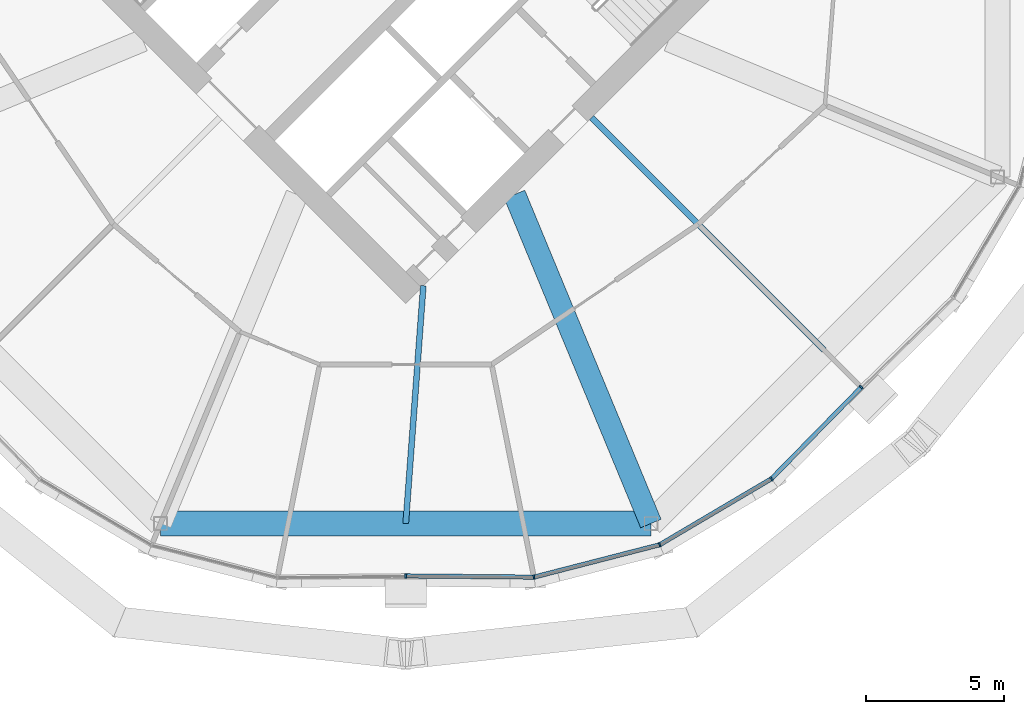
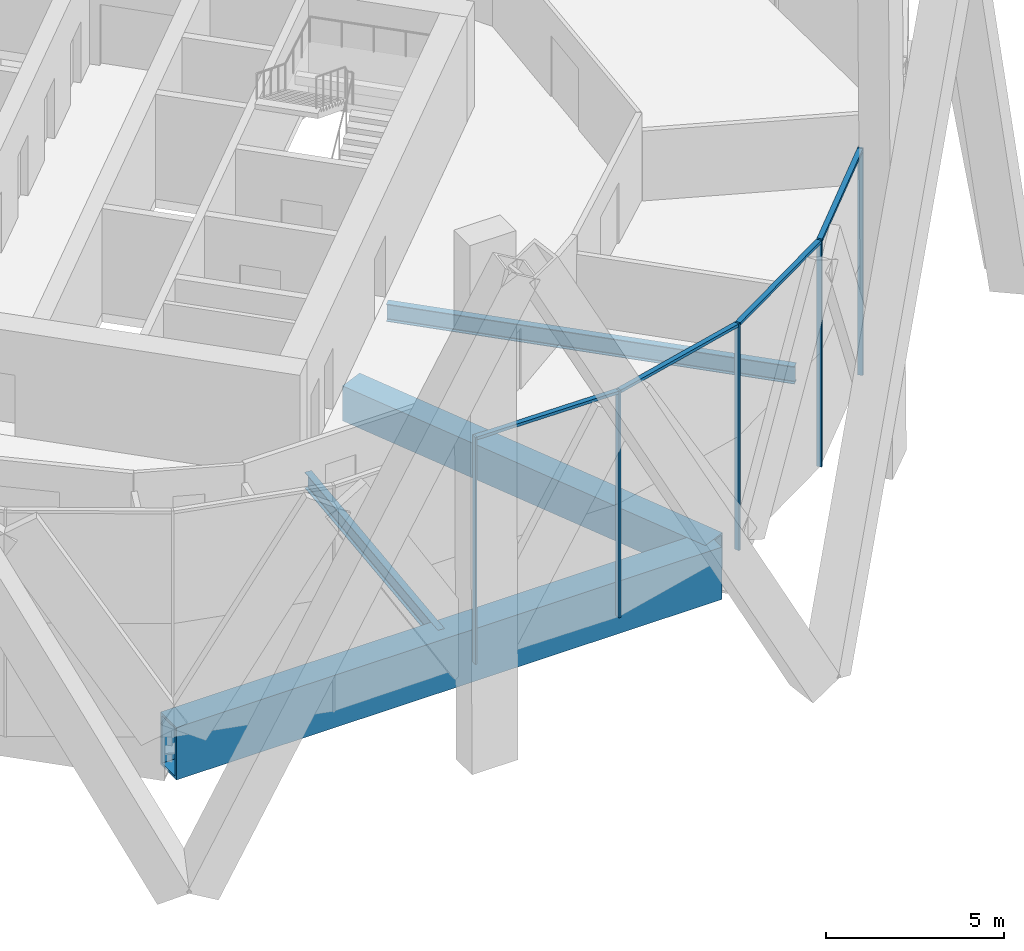
# One storey, part 12 of 30: 9 members, 4 beams, 2 elements without a shape of their own.
"""IFC4 building model written with IfcOpenShell, lengths in metres."""

from ifc_helpers import new_model, si_unit, direction, frame, origin, origin_2d, place, context, subcontext, project, spatial, rectangle, hollow_rectangle, i_section, extrude, material, material_profile, profile_set, type_object, element, aggregate, save


model = new_model("IFC4")

# Units and contexts
model_context = context("Model", 3, precision=1e-05, world=origin(), true_north=direction((0.0, 1.0)))
body_context = subcontext(model_context, "Body", "Model", "MODEL_VIEW")
ifc_project = project(units=[si_unit("LENGTHUNIT", "METRE"), si_unit("AREAUNIT", "SQUARE_METRE"), si_unit("VOLUMEUNIT", "CUBIC_METRE"), si_unit("PLANEANGLEUNIT", "RADIAN"), si_unit("MASSUNIT", "GRAM", prefix="KILO")], contexts=[model_context])

# Site, building, storey
site_placement = place(None, origin())
site = spatial("IfcSite", under=ifc_project, at=site_placement, CompositionType="ELEMENT")
building_placement = place(site_placement, origin())
building = spatial("IfcBuilding", under=site, at=building_placement, Name="Ogive Gate Towers", CompositionType="ELEMENT")
storey_placement = place(building_placement, frame((0.0, 0.0, 99.60009765625)))
storey = spatial("IfcBuildingStorey", under=building, at=storey_placement, Name="L23", CompositionType="ELEMENT", Elevation=99.60009765625)

# Beams
ifc_material_1 = material(Name="Steel SM460", Category="steel")
ifc_material_profile_1 = material_profile(ifc_material_1, hollow_rectangle(XDim=0.89990234375, YDim=1.800048828125, WallThickness=0.080078125, at=origin_2d()), Name="BX 1800x900x80")
ifc_profile_set_1 = profile_set([ifc_material_profile_1], Name="Steel SM460")
beam_type_1 = type_object("IfcBeamType", Name="Edge girder BX 1800x900x80", PredefinedType="BEAM", material=ifc_profile_set_1)
beam_1_placement = place(storey_placement, frame((27.136962890625, -21.39697265625, -1.2001953125), z_axis=(1.0, 0.0, 0.0), x_axis=(0.0, 1.0, 0.0)))
element("IfcBeam", 1, at=beam_1_placement, inside=storey, type_object=beam_type_1, Name="T2/L23/SBM018", PredefinedType="BEAM", context=body_context, shape_type="SweptSolid", body=[
    extrude(hollow_rectangle(XDim=0.89990234375, YDim=1.800048828125, WallThickness=0.080078125, at=origin_2d()), origin(), (0.0, 0.0, 1.0), 17.72607421875),
])
ifc_material_2 = material(Name="Steel SM355", Category="steel")
ifc_material_profile_2 = material_profile(ifc_material_2, i_section(OverallWidth=0.2099609375, OverallDepth=0.550048828125, WebThickness=0.010986328125, FlangeThickness=0.01708984375, FilletRadius=0.02392578125, at=origin_2d()), Name="IPE 550")
ifc_profile_set_2 = profile_set([ifc_material_profile_2], Name="Steel SM355")
beam_type_2 = type_object("IfcBeamType", Name="Radial floor beam IPE 550", PredefinedType="BEAM", material=ifc_profile_set_2)
beam_2_placement = place(storey_placement, frame((36.636474609375, -12.798583984375, -0.5751953125), z_axis=(-0.07382057702, -0.997271538954, 0.0), x_axis=(0.997271538954, -0.07382057702, 0.0)))
element("IfcBeam", 2, at=beam_2_placement, inside=storey, type_object=beam_type_2, Name="T2/L23/SBM004", PredefinedType="BEAM", context=body_context, shape_type="SweptSolid", body=[
    extrude(i_section(OverallWidth=0.2099609375, OverallDepth=0.550048828125, WebThickness=0.010986328125, FlangeThickness=0.01708984375, FilletRadius=0.02392578125, at=origin_2d()), origin(), (0.0, 0.0, 1.0), 8.621826171875),
])
ifc_material_profile_3 = material_profile(ifc_material_2, i_section(OverallWidth=0.219970703125, OverallDepth=0.60009765625, WebThickness=0.011962890625, FlangeThickness=0.01904296875, FilletRadius=0.02392578125, at=origin_2d()), Name="IPE 600")
ifc_profile_set_3 = profile_set([ifc_material_profile_3], Name="Steel SM355")
beam_type_3 = type_object("IfcBeamType", Name="Radial floor beam IPE 600", PredefinedType="BEAM", material=ifc_profile_set_3)
beam_3_placement = place(storey_placement, frame((42.717529296875, -6.717529296875, -0.60009765625), z_axis=(0.707106781187, -0.707106781187, 0.0), x_axis=(0.707106781187, 0.707106781187, 0.0)))
element("IfcBeam", 3, at=beam_3_placement, inside=storey, type_object=beam_type_3, Name="T2/L23/SBM006", PredefinedType="BEAM", context=body_context, shape_type="SweptSolid", body=[
    extrude(i_section(OverallWidth=0.219970703125, OverallDepth=0.60009765625, WebThickness=0.011962890625, FlangeThickness=0.01904296875, FilletRadius=0.02392578125, at=origin_2d()), origin(), (0.0, 0.0, 1.0), 11.89697265625),
])

# Curtain wall, member
ifc_material_3 = material(Name="Pale metal aluminium", Category="aluminium")
curtain_wall_type = type_object("IfcCurtainWallType", Name="Tower unitised wall, low zone", PredefinedType="NOTDEFINED", material=ifc_material_3)
curtain_wall_1_placement = place(storey_placement, origin())
curtain_wall_1 = element("IfcCurtainWall", 4, at=curtain_wall_1_placement, inside=storey, type_object=curtain_wall_type, Name="CW1 T2 ECW06", PredefinedType="NOTDEFINED")
ifc_material_profile_4 = material_profile(ifc_material_3, rectangle(XDim=0.159912109375, YDim=0.06005859375, at=origin_2d()), Name="60 x 160 aluminium box")
ifc_profile_set_4 = profile_set([ifc_material_profile_4], Name="Pale metal aluminium")
member_type_1 = type_object("IfcMemberType", Name="Tower unitised wall, low zone mullion 60 x 160", PredefinedType="MULLION", material=ifc_profile_set_4)
member_1_placement = place(storey_placement, frame((35.999755859375, -23.2900390625, -0.300048828125), z_axis=(0.0, 0.0, 1.0), x_axis=(0.009599163462, -0.999953926969, 0.0)))
member_1 = element("IfcMember", 5, at=member_1_placement, type_object=member_type_1, Name="CW1 mullion", PredefinedType="MULLION", context=body_context, shape_type="SweptSolid", body=[
    extrude(rectangle(XDim=0.159912109375, YDim=0.06005859375, at=origin_2d()), origin(), (0.0, 0.0, 1.0), 7.800048828125),
])
aggregate(curtain_wall_1, [member_1])

# Curtain wall, members
curtain_wall_2_placement = place(storey_placement, origin())
curtain_wall_2 = element("IfcCurtainWall", 6, at=curtain_wall_2_placement, inside=storey, type_object=curtain_wall_type, Name="CW1 T2 ECW07", PredefinedType="NOTDEFINED")
member_2_placement = place(storey_placement, frame((40.635498046875, -23.334716796875, -0.300048828125), z_axis=(0.0, 0.0, 1.0), x_axis=(0.120847210271, -0.992671119641, 0.0)))
member_2 = element("IfcMember", 7, at=member_2_placement, type_object=member_type_1, Name="CW1 mullion", PredefinedType="MULLION", context=body_context, shape_type="SweptSolid", body=[
    extrude(rectangle(XDim=0.159912109375, YDim=0.06005859375, at=origin_2d()), origin(), (0.0, 0.0, 1.0), 7.800048828125),
])
member_3_placement = place(storey_placement, frame((45.180908203125, -22.164794921875, -0.300048828125), z_axis=(0.0, 0.0, 1.0), x_axis=(0.382683432365, -0.923879532511, 0.0)))
member_3 = element("IfcMember", 8, at=member_3_placement, type_object=member_type_1, Name="CW1 mullion", PredefinedType="MULLION", context=body_context, shape_type="SweptSolid", body=[
    extrude(rectangle(XDim=0.159912109375, YDim=0.06005859375, at=origin_2d()), origin(), (0.0, 0.0, 1.0), 7.800048828125),
])
member_4_placement = place(storey_placement, frame((49.222412109375, -19.77783203125, -0.300048828125), z_axis=(0.0, 0.0, 1.0), x_axis=(0.616458855912, -0.787387121413, 0.0)))
member_4 = element("IfcMember", 9, at=member_4_placement, type_object=member_type_1, Name="CW1 mullion", PredefinedType="MULLION", context=body_context, shape_type="SweptSolid", body=[
    extrude(rectangle(XDim=0.159912109375, YDim=0.06005859375, at=origin_2d()), origin(), (0.0, 0.0, 1.0), 7.800048828125),
])
member_5_placement = place(storey_placement, frame((52.468505859375, -16.46875, -0.300048828125), z_axis=(0.0, 0.0, 1.0), x_axis=(0.713849613797, -0.700299028189, 0.0)))
member_5 = element("IfcMember", 10, at=member_5_placement, type_object=member_type_1, Name="CW1 mullion", PredefinedType="MULLION", context=body_context, shape_type="SweptSolid", body=[
    extrude(rectangle(XDim=0.159912109375, YDim=0.06005859375, at=origin_2d()), origin(), (0.0, 0.0, 1.0), 7.800048828125),
])
ifc_material_profile_5 = material_profile(ifc_material_3, rectangle(XDim=0.159912109375, YDim=0.10009765625, at=origin_2d()), Name="100 x 160 aluminium box")
ifc_profile_set_5 = profile_set([ifc_material_profile_5], Name="Pale metal aluminium")
member_type_2 = type_object("IfcMemberType", Name="Tower unitised wall, low zone transom 100 x 160", PredefinedType="USERDEFINED", material=ifc_profile_set_5)
member_6_placement = place(storey_placement, frame((36.0302734375, -23.290283203125, 7.449951171875), z_axis=(0.999953923185, -0.009599557663, 0.0), x_axis=(0.009599557663, 0.999953923185, 0.0)))
member_6 = element("IfcMember", 11, at=member_6_placement, type_object=member_type_2, Name="CW1 transom", ObjectType="TRANSOM", PredefinedType="USERDEFINED", context=body_context, shape_type="SweptSolid", body=[
    extrude(rectangle(XDim=0.159912109375, YDim=0.10009765625, at=origin_2d()), origin(), (0.0, 0.0, 1.0), 4.577880859375),
])
member_7_placement = place(storey_placement, frame((40.661865234375, -23.32763671875, 7.449951171875), z_axis=(0.968441413221, 0.249241307087, 0.0), x_axis=(-0.249241307087, 0.968441413221, 0.0)))
member_7 = element("IfcMember", 12, at=member_7_placement, type_object=member_type_2, Name="CW1 transom", ObjectType="TRANSOM", PredefinedType="USERDEFINED", context=body_context, shape_type="SweptSolid", body=[
    extrude(rectangle(XDim=0.159912109375, YDim=0.10009765625, at=origin_2d()), origin(), (0.0, 0.0, 1.0), 4.63916015625),
])
member_8_placement = place(storey_placement, frame((45.204345703125, -22.15087890625, 7.449951171875), z_axis=(0.861015568373, 0.508578598665, 0.0), x_axis=(-0.508578598665, 0.861015568373, 0.0)))
member_8 = element("IfcMember", 13, at=member_8_placement, type_object=member_type_2, Name="CW1 transom", ObjectType="TRANSOM", PredefinedType="USERDEFINED", context=body_context, shape_type="SweptSolid", body=[
    extrude(rectangle(XDim=0.159912109375, YDim=0.10009765625, at=origin_2d()), origin(), (0.0, 0.0, 1.0), 4.63916015625),
])
member_9_placement = place(storey_placement, frame((49.241455078125, -19.75830078125, 7.449951171875), z_axis=(0.70027504726, 0.71387313872, 0.0), x_axis=(-0.71387313872, 0.70027504726, 0.0)))
member_9 = element("IfcMember", 14, at=member_9_placement, type_object=member_type_2, Name="CW1 transom", ObjectType="TRANSOM", PredefinedType="USERDEFINED", context=body_context, shape_type="SweptSolid", body=[
    extrude(rectangle(XDim=0.159912109375, YDim=0.10009765625, at=origin_2d()), origin(), (0.0, 0.0, 1.0), 4.578369140625),
])
aggregate(curtain_wall_2, [member_2, member_6, member_3, member_7, member_4, member_8, member_5, member_9])

# Beam
ifc_material_profile_6 = material_profile(ifc_material_1, hollow_rectangle(XDim=0.800048828125, YDim=1.199951171875, WallThickness=0.050048828125, at=origin_2d()), Name="BX 1200x800x50")
ifc_profile_set_6 = profile_set([ifc_material_profile_6], Name="Steel SM460")
beam_type_4 = type_object("IfcBeamType", Name="Transfer radial beam BX 1200x800x50", PredefinedType="BEAM", material=ifc_profile_set_6)
beam_4_placement = place(storey_placement, frame((39.93505859375, -9.5, -0.900146484375), z_axis=(0.382689470177, -0.923877031545, 0.0), x_axis=(0.923877031545, 0.382689470177, 0.0)))
element("IfcBeam", 15, at=beam_4_placement, inside=storey, type_object=beam_type_4, Name="T2/L23/SBM005", PredefinedType="BEAM", context=body_context, shape_type="SweptSolid", body=[
    extrude(hollow_rectangle(XDim=0.800048828125, YDim=1.199951171875, WallThickness=0.050048828125, at=origin_2d()), origin(), (0.0, 0.0, 1.0), 12.877197265625),
])

save(model, "model.ifc")
